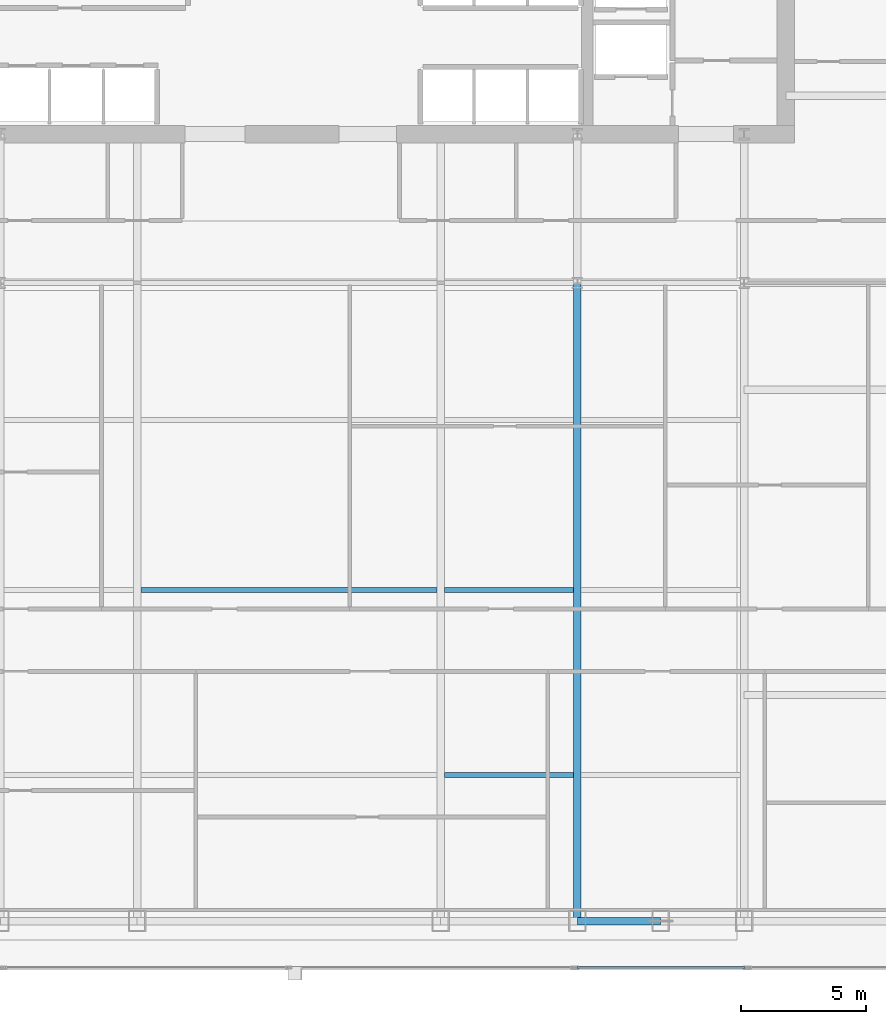
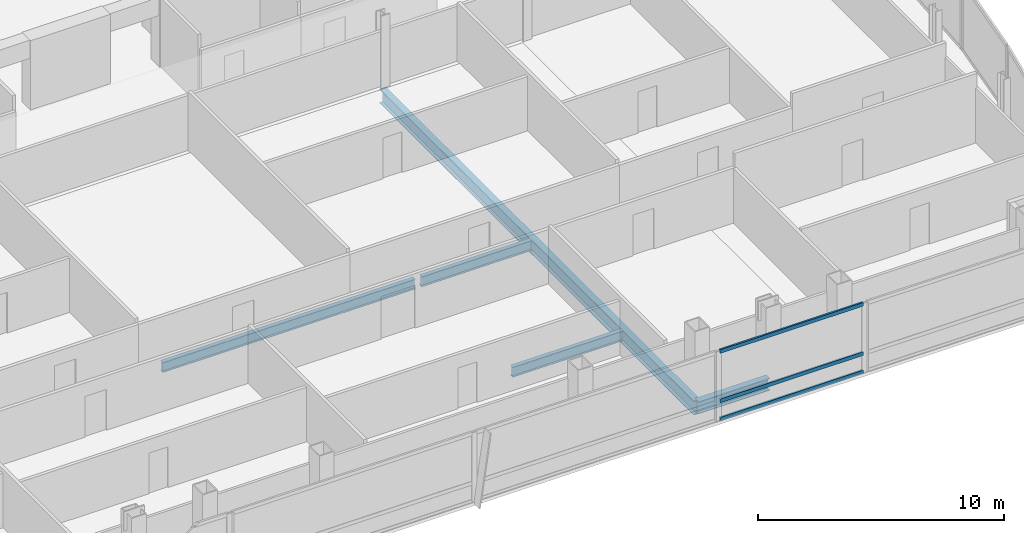
# One storey, part 14 of 29: 5 beams, 3 members, 1 element without a shape of its own.
"""IFC4 building model written with IfcOpenShell, lengths in metres."""

import ifcopenshell
import ifcopenshell.guid

model = None  # the IFC model being written
_history = None  # IfcOwnerHistory: only IFC2X3 demands one
_inside = {}  # id of a spatial element -> (the spatial element, [elements in it])
_under = {}  # id of a project, library or spatial element -> (it, [spatial elements below it])
_declared = {}  # id of a project -> (the project, [libraries it declares])
_typed = {}  # id of a type object -> (the type object, [elements of that type])
_made_of = {}  # id of a material, layer set ... -> (it, [elements and type objects made of it])


def new_model(schema):
    """Start an empty IFC model of exactly this schema.

    Asked for "IFC4X3", IfcOpenShell would pick the latest addendum, in which some entities
    have other attributes; the version numbers below select the first issue.
    IFC2X3 requires an IfcOwnerHistory on every rooted entity: one is made here for all.
    """
    global model, _history
    if schema == "IFC4X3":
        model = ifcopenshell.file(schema_version=(4, 3, 0, 0))
    else:
        model = ifcopenshell.file(schema=schema)
    _inside.clear()
    _under.clear()
    _declared.clear()
    _typed.clear()
    _made_of.clear()
    _history = None
    if model.schema == "IFC2X3":
        org = make("IfcOrganization", Name="unknown")
        user = make(
            "IfcPersonAndOrganization",
            ThePerson=make("IfcPerson", FamilyName="unknown"),
            TheOrganization=org,
        )
        app = make(
            "IfcApplication",
            ApplicationDeveloper=org,
            Version="unknown",
            ApplicationFullName="unknown",
            ApplicationIdentifier="unknown",
        )
        _history = make(
            "IfcOwnerHistory",
            OwningUser=user,
            OwningApplication=app,
            ChangeAction="ADDED",
            CreationDate=0,
        )
    return model


def make(cls, **values):
    """One entity of the class cls with the attributes given. An attribute that is None is left unset."""
    return model.create_entity(
        cls, **{name: value for name, value in values.items() if value is not None}
    )


def rooted(cls, **values):
    """An entity with a GlobalId (a new one), such as an element, a storey or a relation."""
    return make(cls, GlobalId=ifcopenshell.guid.new(), OwnerHistory=_history, **values)


def si_unit(unit_type, name, prefix=None):
    """IfcSIUnit, for example si_unit("LENGTHUNIT", "METRE", prefix="MILLI")."""
    return make("IfcSIUnit", UnitType=unit_type, Prefix=prefix, Name=name)


def assignment(units):
    """IfcUnitAssignment: the units of a project."""
    return None if units is None else make("IfcUnitAssignment", Units=units)


def point(xyz):
    """IfcCartesianPoint."""
    return None if xyz is None else make("IfcCartesianPoint", Coordinates=xyz)


def direction(xyz):
    """IfcDirection."""
    return None if xyz is None else make("IfcDirection", DirectionRatios=xyz)


def frame(location, z_axis=None, x_axis=None):
    """IfcAxis2Placement3D, a coordinate frame: its origin and axes. An axis left out is left unset."""
    return make(
        "IfcAxis2Placement3D",
        Location=point(location),
        Axis=direction(z_axis),
        RefDirection=direction(x_axis),
    )


def frame_2d(location, x_axis=None):
    """IfcAxis2Placement2D, a coordinate frame in the plane: its origin and x axis."""
    return make(
        "IfcAxis2Placement2D", Location=point(location), RefDirection=direction(x_axis)
    )


def origin():
    """The frame at (0, 0, 0) with its axes left unset."""
    return frame((0.0, 0.0, 0.0))


def origin_2d():
    """The frame at (0, 0) in the plane with its x axis left unset."""
    return frame_2d((0.0, 0.0))


def place(relative_to, where):
    """IfcLocalPlacement: puts the frame where relative to a parent placement (None: the world)."""
    return make(
        "IfcLocalPlacement", PlacementRelTo=relative_to, RelativePlacement=where
    )


def context(
    kind, dimensions, precision=None, world=None, true_north=None, identifier=None
):
    """IfcGeometricRepresentationContext, for example the 3D "Model" context."""
    return make(
        "IfcGeometricRepresentationContext",
        ContextIdentifier=identifier,
        ContextType=kind,
        CoordinateSpaceDimension=dimensions,
        Precision=precision,
        WorldCoordinateSystem=world,
        TrueNorth=true_north,
    )


def subcontext(parent, identifier, kind, view, scale=None):
    """IfcGeometricRepresentationSubContext, for example "Body" below "Model"."""
    return make(
        "IfcGeometricRepresentationSubContext",
        ContextIdentifier=identifier,
        ContextType=kind,
        ParentContext=parent,
        TargetScale=scale,
        TargetView=view,
    )


def project(units=None, contexts=None):
    """IfcProject with its units and contexts."""
    return rooted(
        "IfcProject",
        Name="project",
        RepresentationContexts=contexts,
        UnitsInContext=assignment(units),
    )


def spatial(cls, under=None, at=None, **own):
    """A site, building, storey or space (cls), placed at a placement, below another one or the project."""
    s = rooted(cls, ObjectPlacement=at, **own)
    if under is not None:
        _under.setdefault(under.id(), (under, []))[1].append(s)
    return s


def profile(cls, at=None, kind="AREA", **sizes):
    """A parametric profile (cls). Its sizes go by their IFC names, for example OverallWidth=200.0."""
    return make(cls, ProfileType=kind, Position=at, **sizes)


def hollow_rectangle(**sizes):
    """IfcRectangleHollowProfileDef."""
    return profile("IfcRectangleHollowProfileDef", **sizes)


def i_section(**sizes):
    """IfcIShapeProfileDef."""
    return profile("IfcIShapeProfileDef", **sizes)


def extrude(swept, where, along, depth):
    """IfcExtrudedAreaSolid: the profile swept, set in the frame where, extruded along a direction by depth."""
    return make(
        "IfcExtrudedAreaSolid",
        SweptArea=swept,
        Position=where,
        ExtrudedDirection=direction(along),
        Depth=depth,
    )


def shape(context_of_items, identifier, shape_type, items):
    """IfcShapeRepresentation: the items that make up one representation, for example the "Body"."""
    return make(
        "IfcShapeRepresentation",
        ContextOfItems=context_of_items,
        RepresentationIdentifier=identifier,
        RepresentationType=shape_type,
        Items=items,
    )


def material(Name=None, Category=None):
    """IfcMaterial."""
    return make("IfcMaterial", Name=Name, Category=Category)


def material_profile(
    of_material, cross_section, Name=None, Category=None, Priority=None
):
    """IfcMaterialProfile: a cross section and its material."""
    return make(
        "IfcMaterialProfile",
        Name=Name,
        Material=of_material,
        Profile=cross_section,
        Priority=Priority,
        Category=Category,
    )


def profile_set(profiles, Name=None, composite=None):
    """IfcMaterialProfileSet."""
    return make(
        "IfcMaterialProfileSet",
        Name=Name,
        MaterialProfiles=profiles,
        CompositeProfile=composite,
    )


def made_of(thing, what):
    """Note that an element or type object is made of a material, layer set ...; save() writes the relation."""
    if what is not None:
        _made_of.setdefault(what.id(), (what, []))[1].append(thing)
    return thing


def type_object(cls, material=None, **own):
    """A type object (cls), such as IfcWallType, which elements share."""
    return made_of(rooted(cls, **own), material)


def element(
    cls,
    number,
    at=None,
    inside=None,
    cuts=None,
    type_object=None,
    material=None,
    context=None,
    identifier="Body",
    shape_type=None,
    held_by="IfcProductDefinitionShape",
    body=None,
    shapes=None,
    **own,
):
    """One element of the class cls, such as IfcWall. Its Tag is "e" and its number.

    at: its placement. inside: the storey or other place that contains it. cuts: it is an
    opening in that element (IfcRelVoidsElement). A single representation is given by context,
    identifier, shape_type and body (its items); several are given by shapes. held_by: the class
    of the entity that holds the representations. save() writes the other relations.
    """
    e = rooted(cls, Tag="e%d" % number, ObjectPlacement=at, **own)
    if body is not None:
        shapes = [shape(context, identifier, shape_type, body)]
    if shapes is not None:
        e.Representation = make(held_by, Representations=shapes)
    if inside is not None:
        _inside.setdefault(inside.id(), (inside, []))[1].append(e)
    if cuts is not None:
        rooted(
            "IfcRelVoidsElement", RelatingBuildingElement=cuts, RelatedOpeningElement=e
        )
    if type_object is not None:
        _typed.setdefault(type_object.id(), (type_object, []))[1].append(e)
    return made_of(e, material)


def aggregate(whole, parts):
    """IfcRelAggregates: a whole, such as a stair, and the parts it consists of."""
    return rooted("IfcRelAggregates", RelatingObject=whole, RelatedObjects=parts)


def save(model, path):
    """Write the relations noted so far, then the file.

    IfcRelAggregates (storeys below a building ...), IfcRelContainedInSpatialStructure (elements
    in a storey), IfcRelDefinesByType, IfcRelAssociatesMaterial and IfcRelDeclares: one each for
    every whole, place, type object, material and project.
    """
    for whole, parts in _under.values():
        aggregate(whole, parts)
    for where, things in _inside.values():
        rooted(
            "IfcRelContainedInSpatialStructure",
            RelatedElements=things,
            RelatingStructure=where,
        )
    for kind, things in _typed.values():
        rooted("IfcRelDefinesByType", RelatedObjects=things, RelatingType=kind)
    for what, things in _made_of.values():
        rooted("IfcRelAssociatesMaterial", RelatedObjects=things, RelatingMaterial=what)
    for by, libraries in _declared.values():
        rooted("IfcRelDeclares", RelatingContext=by, RelatedDefinitions=libraries)
    model.write(path)


model = new_model("IFC4")

# Units and contexts
model_context = context("Model", 3, precision=1e-05, world=origin(), true_north=direction((0.0, 1.0)))
body_context = subcontext(model_context, "Body", "Model", "MODEL_VIEW")
ifc_project = project(units=[si_unit("LENGTHUNIT", "METRE"), si_unit("AREAUNIT", "SQUARE_METRE"), si_unit("VOLUMEUNIT", "CUBIC_METRE"), si_unit("PLANEANGLEUNIT", "RADIAN"), si_unit("MASSUNIT", "GRAM", prefix="KILO")], contexts=[model_context])

# Site, building, storey
site_placement = place(None, origin())
site = spatial("IfcSite", under=ifc_project, at=site_placement, CompositionType="ELEMENT")
building_placement = place(site_placement, origin())
building = spatial("IfcBuilding", under=site, at=building_placement, Name="Khoronbel Lancet Exchange", CompositionType="ELEMENT")
storey_placement = place(building_placement, frame((0.0, 0.0, 154.199951171875)))
storey = spatial("IfcBuildingStorey", under=building, at=storey_placement, Name="L38", CompositionType="ELEMENT", Elevation=154.199951171875)

# Beams
ifc_material_1 = material(Name="Steel S355", Category="steel")
ifc_material_profile_1 = material_profile(ifc_material_1, i_section(OverallWidth=0.300048828125, OverallDepth=0.699951171875, WebThickness=0.01708984375, FlangeThickness=0.031982421875, at=origin_2d()), Name="HEB 700")
ifc_profile_set_1 = profile_set([ifc_material_profile_1], Name="Steel S355")
beam_type_1 = type_object("IfcBeamType", Name="BM-BG3", PredefinedType="BEAM", material=ifc_profile_set_1)
beam_1_placement = place(storey_placement, frame((48.0, 10.14990234375, -0.510009765625), z_axis=(0.0, 1.0, 0.0), x_axis=(-1.0, 0.0, 0.0)))
element("IfcBeam", 1, at=beam_1_placement, inside=storey, type_object=beam_type_1, Name="Level L38 south primary girder GS5", PredefinedType="BEAM", context=body_context, shape_type="SweptSolid", body=[
    extrude(i_section(OverallWidth=0.300048828125, OverallDepth=0.699951171875, WebThickness=0.01708984375, FlangeThickness=0.031982421875, at=origin_2d()), origin(), (0.0, 0.0, 1.0), 25.550048828125),
])
ifc_material_profile_2 = material_profile(ifc_material_1, i_section(OverallWidth=0.199951171875, OverallDepth=0.5, WebThickness=0.01025390625, FlangeThickness=0.01611328125, at=origin_2d()), Name="IPE 500")
ifc_profile_set_2 = profile_set([ifc_material_profile_2], Name="Steel S355")
beam_type_2 = type_object("IfcBeamType", Name="BM-BJ3", PredefinedType="JOIST", material=ifc_profile_set_2)
beam_2_placement = place(storey_placement, frame((42.675048828125, 16.0, -0.409912109375), z_axis=(1.0, 0.0, 0.0), x_axis=(0.0, 1.0, 0.0)))
element("IfcBeam", 2, at=beam_2_placement, inside=storey, type_object=beam_type_2, Name="Level L38 secondary composite joist J04", PredefinedType="JOIST", context=body_context, shape_type="SweptSolid", body=[
    extrude(i_section(OverallWidth=0.199951171875, OverallDepth=0.5, WebThickness=0.01025390625, FlangeThickness=0.01611328125, at=origin_2d()), origin(), (0.0, 0.0, 1.0), 5.175048828125),
])
beam_3_placement = place(storey_placement, frame((30.52490234375, 23.39990234375, -0.409912109375), z_axis=(1.0, 0.0, 0.0), x_axis=(0.0, 1.0, 0.0)))
element("IfcBeam", 3, at=beam_3_placement, inside=storey, type_object=beam_type_2, Name="Level L38 secondary composite joist J08", PredefinedType="JOIST", context=body_context, shape_type="SweptSolid", body=[
    extrude(i_section(OverallWidth=0.199951171875, OverallDepth=0.5, WebThickness=0.01025390625, FlangeThickness=0.01611328125, at=origin_2d()), origin(), (0.0, 0.0, 1.0), 11.85009765625),
])
beam_4_placement = place(storey_placement, frame((42.675048828125, 23.39990234375, -0.409912109375), z_axis=(1.0, 0.0, 0.0), x_axis=(0.0, 1.0, 0.0)))
element("IfcBeam", 4, at=beam_4_placement, inside=storey, type_object=beam_type_2, Name="Level L38 secondary composite joist J09", PredefinedType="JOIST", context=body_context, shape_type="SweptSolid", body=[
    extrude(i_section(OverallWidth=0.199951171875, OverallDepth=0.5, WebThickness=0.01025390625, FlangeThickness=0.01611328125, at=origin_2d()), origin(), (0.0, 0.0, 1.0), 5.175048828125),
])
ifc_material_profile_3 = material_profile(ifc_material_1, i_section(OverallWidth=0.300048828125, OverallDepth=0.60009765625, WebThickness=0.015380859375, FlangeThickness=0.030029296875, at=origin_2d()), Name="HEB 600")
ifc_profile_set_3 = profile_set([ifc_material_profile_3], Name="Steel S355")
beam_type_3 = type_object("IfcBeamType", Name="BM-BSP2", PredefinedType="SPANDREL", material=ifc_profile_set_3)
beam_5_placement = place(storey_placement, frame((48.0, 10.14990234375, -0.4599609375), z_axis=(1.0, 0.0, 0.0), x_axis=(0.0, 1.0, 0.0)))
element("IfcBeam", 5, at=beam_5_placement, inside=storey, type_object=beam_type_3, Name="Level L38 perimeter spandrel beam SP07", PredefinedType="SPANDREL", context=body_context, shape_type="SweptSolid", body=[
    extrude(i_section(OverallWidth=0.300048828125, OverallDepth=0.60009765625, WebThickness=0.015380859375, FlangeThickness=0.030029296875, at=origin_2d()), origin(), (0.0, 0.0, 1.0), 3.33740234375),
])

# Curtain wall, members
ifc_material_2 = material(Name="Low-E Solar Control Insulating Glass", Category="glass")
curtain_wall_type = type_object("IfcCurtainWallType", Name="CW-3", PredefinedType="NOTDEFINED", material=ifc_material_2)
curtain_wall_placement = place(storey_placement, origin())
curtain_wall = element("IfcCurtainWall", 6, at=curtain_wall_placement, inside=storey, type_object=curtain_wall_type, Name="Unitised curtain wall CW-L38-SEB", PredefinedType="NOTDEFINED")
ifc_material_3 = material(Name="Bronze-Anodised Aluminium 6063-T6", Category="aluminium")
ifc_material_profile_4 = material_profile(ifc_material_3, hollow_rectangle(XDim=0.0849609375, YDim=0.179931640625, WallThickness=0.0048828125, at=origin_2d()), Name="ALU TRANSOM 85x180")
ifc_profile_set_4 = profile_set([ifc_material_profile_4], Name="Bronze-Anodised Aluminium 6063-T6")
member_type = type_object("IfcMemberType", Name="MEM-CWT1", PredefinedType="USERDEFINED", material=ifc_profile_set_4)
member_1_placement = place(storey_placement, frame((47.985107421875, 8.2900390625, 0.04248046875), z_axis=(1.0, 0.0, 0.0), x_axis=(0.0, 1.0, 0.0)))
member_1 = element("IfcMember", 7, at=member_1_placement, type_object=member_type, Name="CW3 transom 1.1", ObjectType="TRANSOM", PredefinedType="USERDEFINED", context=body_context, shape_type="SweptSolid", body=[
    extrude(hollow_rectangle(XDim=0.0849609375, YDim=0.179931640625, WallThickness=0.0048828125, at=origin_2d()), origin(), (0.0, 0.0, 1.0), 6.72998046875),
])
member_2_placement = place(storey_placement, frame((47.985107421875, 8.2900390625, 0.949951171875), z_axis=(1.0, 0.0, 0.0), x_axis=(0.0, 1.0, 0.0)))
member_2 = element("IfcMember", 8, at=member_2_placement, type_object=member_type, Name="CW3 transom 1.2", ObjectType="TRANSOM", PredefinedType="USERDEFINED", context=body_context, shape_type="SweptSolid", body=[
    extrude(hollow_rectangle(XDim=0.0849609375, YDim=0.179931640625, WallThickness=0.0048828125, at=origin_2d()), origin(), (0.0, 0.0, 1.0), 6.72998046875),
])
member_3_placement = place(storey_placement, frame((47.985107421875, 8.2900390625, 3.3974609375), z_axis=(1.0, 0.0, 0.0), x_axis=(0.0, 1.0, 0.0)))
member_3 = element("IfcMember", 9, at=member_3_placement, type_object=member_type, Name="CW3 transom 1.3", ObjectType="TRANSOM", PredefinedType="USERDEFINED", context=body_context, shape_type="SweptSolid", body=[
    extrude(hollow_rectangle(XDim=0.0849609375, YDim=0.179931640625, WallThickness=0.0048828125, at=origin_2d()), origin(), (0.0, 0.0, 1.0), 6.72998046875),
])
aggregate(curtain_wall, [member_1, member_2, member_3])

save(model, "model.ifc")
